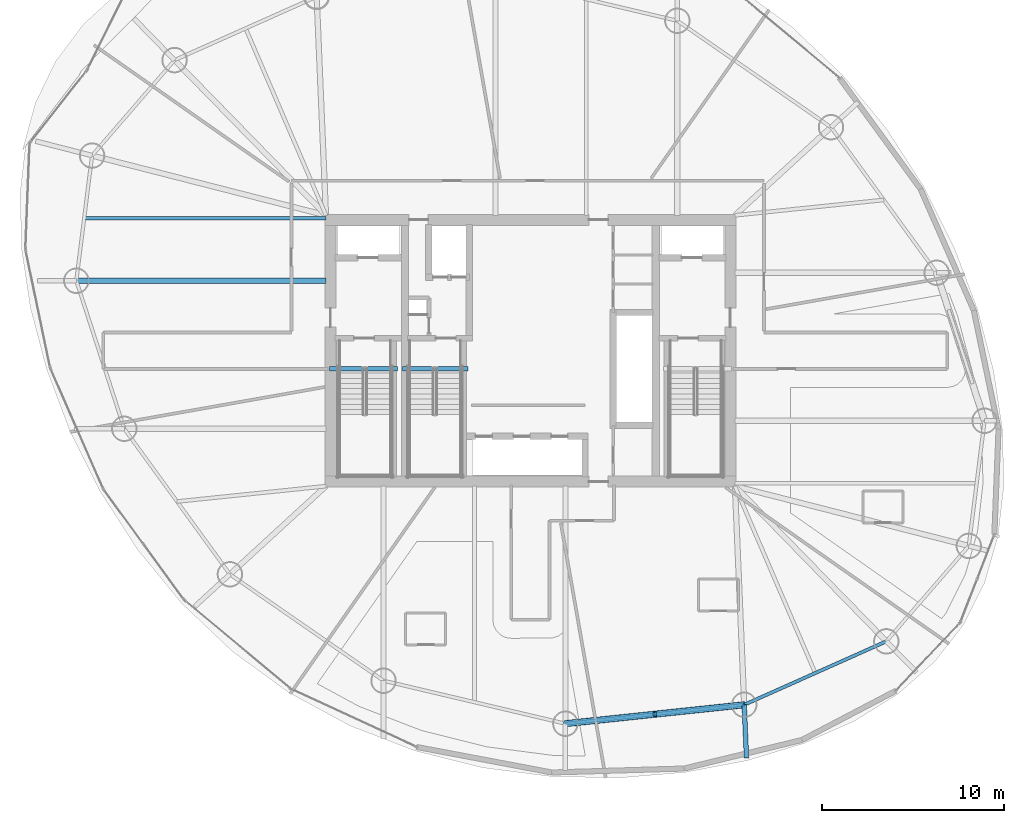
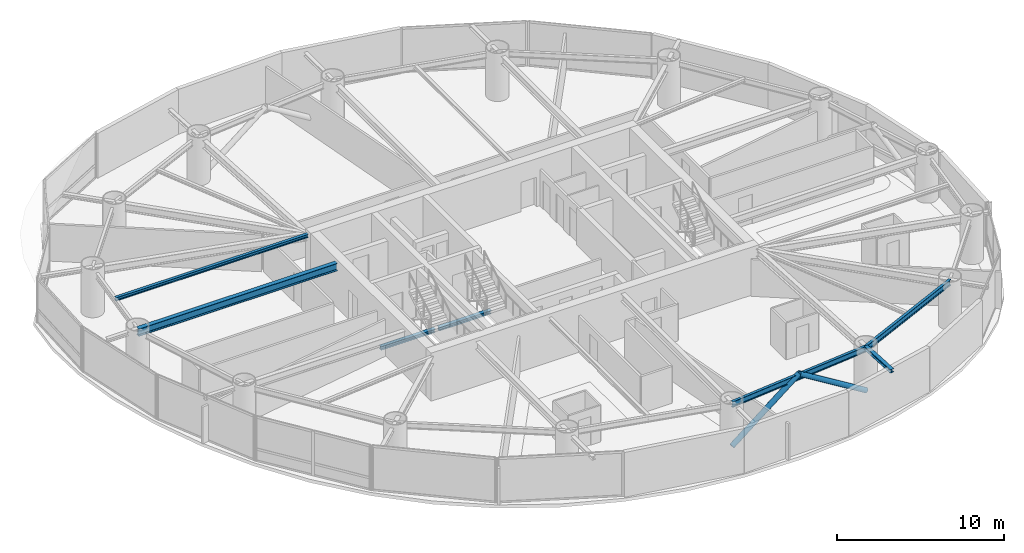
# One storey, part 8 of 23: 7 beams, 2 members.
"""IFC4 building model written with IfcOpenShell, lengths in metres."""

from ifc_helpers import new_model, si_unit, direction, frame, origin, origin_2d, place, context, subcontext, project, spatial, hollow_circle, i_section, extrude, material, material_profile, profile_set, type_object, element, save


model = new_model("IFC4")

# Units and contexts
model_context = context("Model", 3, precision=1e-05, world=origin(), true_north=direction((0.0, 1.0)))
body_context = subcontext(model_context, "Body", "Model", "MODEL_VIEW")
ifc_project = project(units=[si_unit("LENGTHUNIT", "METRE"), si_unit("AREAUNIT", "SQUARE_METRE"), si_unit("VOLUMEUNIT", "CUBIC_METRE"), si_unit("PLANEANGLEUNIT", "RADIAN"), si_unit("MASSUNIT", "GRAM", prefix="KILO")], contexts=[model_context])

# Site, building, storey
site_placement = place(None, origin())
site = spatial("IfcSite", under=ifc_project, at=site_placement, CompositionType="ELEMENT")
building_placement = place(site_placement, origin())
building = spatial("IfcBuilding", under=site, at=building_placement, Name="Bramvorn Convention Spire", CompositionType="ELEMENT")
storey_placement = place(building_placement, frame((0.0, 0.0, 158.800048828125)))
storey = spatial("IfcBuildingStorey", under=building, at=storey_placement, Name="L40", CompositionType="ELEMENT", Elevation=158.800048828125)

# Beams
ifc_material = material(Name="Steel CSA G40.21 Grade 350 (350W)", Category="steel")
ifc_material_profile_1 = material_profile(ifc_material, i_section(OverallWidth=0.201904296875, OverallDepth=0.2470703125, WebThickness=0.00732421875, FlangeThickness=0.010986328125, FilletRadius=0.011962890625, at=origin_2d()))
ifc_profile_set_1 = profile_set([ifc_material_profile_1], Name="Steel CSA G40.21 Grade 350 (350W) - W250X49")
beam_type_1 = type_object("IfcBeamType", Name="BM-W250X49", PredefinedType="JOIST", material=ifc_profile_set_1)
beam_1_placement = place(storey_placement, frame((26.75, 33.294921875, 3.136474609375), z_axis=(-1.0, 0.0, 0.0), x_axis=(0.0, -1.0, 0.0)))
element("IfcBeam", 1, at=beam_1_placement, inside=storey, type_object=beam_type_1, Name="L40 composite floor joist 09", PredefinedType="JOIST", context=body_context, shape_type="SweptSolid", body=[
    extrude(i_section(OverallWidth=0.201904296875, OverallDepth=0.2470703125, WebThickness=0.00732421875, FlangeThickness=0.010986328125, FilletRadius=0.011962890625, at=origin_2d()), origin(), (0.0, 0.0, 1.0), 13.30078125),
])
ifc_material_profile_2 = material_profile(ifc_material, i_section(OverallWidth=0.25390625, OverallDepth=0.2529296875, WebThickness=0.008544921875, FlangeThickness=0.01416015625, FilletRadius=0.011962890625, at=origin_2d()))
ifc_profile_set_2 = profile_set([ifc_material_profile_2], Name="Steel CSA G40.21 Grade 350 (350W) - W250X73")
beam_type_2 = type_object("IfcBeamType", Name="BM-W250X73", PredefinedType="BEAM", material=ifc_profile_set_2)
beam_2_placement = place(storey_placement, frame((49.76171875, 6.521240234375, 3.133544921875), z_axis=(0.042532428571, -0.999095086826, 0.0), x_axis=(0.999095086826, 0.042532428571, 0.0)))
element("IfcBeam", 2, at=beam_2_placement, inside=storey, type_object=beam_type_2, Name="L40 slab-edge cantilever tip beam MC15", PredefinedType="BEAM", context=body_context, shape_type="SweptSolid", body=[
    extrude(i_section(OverallWidth=0.25390625, OverallDepth=0.2529296875, WebThickness=0.008544921875, FlangeThickness=0.01416015625, FilletRadius=0.011962890625, at=origin_2d()), origin(), (0.0, 0.0, 1.0), 2.927490234375),
])
beam_3_placement = place(storey_placement, frame((26.949951171875, 25.010009765625, -0.12646484375), z_axis=(1.0, 0.0, 0.0), x_axis=(0.0, 1.0, 0.0)))
element("IfcBeam", 3, at=beam_3_placement, inside=storey, type_object=beam_type_2, Name="L40 ST1 stair arrival header beam", PredefinedType="BEAM", context=body_context, shape_type="SweptSolid", body=[
    extrude(i_section(OverallWidth=0.25390625, OverallDepth=0.2529296875, WebThickness=0.008544921875, FlangeThickness=0.01416015625, FilletRadius=0.011962890625, at=origin_2d()), origin(), (0.0, 0.0, 1.0), 3.739990234375),
])
beam_4_placement = place(storey_placement, frame((30.949951171875, 25.010009765625, -0.12646484375), z_axis=(1.0, 0.0, 0.0), x_axis=(0.0, 1.0, 0.0)))
element("IfcBeam", 4, at=beam_4_placement, inside=storey, type_object=beam_type_2, Name="L40 ST3 stair arrival header beam", PredefinedType="BEAM", context=body_context, shape_type="SweptSolid", body=[
    extrude(i_section(OverallWidth=0.25390625, OverallDepth=0.2529296875, WebThickness=0.008544921875, FlangeThickness=0.01416015625, FilletRadius=0.011962890625, at=origin_2d()), origin(), (0.0, 0.0, 1.0), 3.610107421875),
])
ifc_material_profile_3 = material_profile(ifc_material, i_section(OverallWidth=0.180908203125, OverallDepth=0.4169921875, WebThickness=0.010986328125, FlangeThickness=0.018310546875, FilletRadius=0.01611328125, at=origin_2d()))
ifc_profile_set_3 = profile_set([ifc_material_profile_3], Name="Steel CSA G40.21 Grade 350 (350W) - W410X85")
beam_type_3 = type_object("IfcBeamType", Name="BM-W410X85", PredefinedType="JOIST", material=ifc_profile_set_3)
beam_5_placement = place(storey_placement, frame((39.924072265625, 5.482666015625, 3.051513671875), z_axis=(0.994473491975, 0.104987969596, 0.0), x_axis=(-0.104987969596, 0.994473491975, 0.0)))
element("IfcBeam", 5, at=beam_5_placement, inside=storey, type_object=beam_type_3, Name="L40 mega-column ring beam 14", PredefinedType="JOIST", context=body_context, shape_type="SweptSolid", body=[
    extrude(i_section(OverallWidth=0.180908203125, OverallDepth=0.4169921875, WebThickness=0.010986328125, FlangeThickness=0.018310546875, FilletRadius=0.01611328125, at=origin_2d()), origin(), (0.0, 0.0, 1.0), 9.892333984375),
])
beam_6_placement = place(storey_placement, frame((49.76171875, 6.521240234375, 3.051513671875), z_axis=(0.913169534701, 0.407579931908, 0.0), x_axis=(-0.407579931908, 0.913169534701, 0.0)))
element("IfcBeam", 6, at=beam_6_placement, inside=storey, type_object=beam_type_3, Name="L40 mega-column ring beam 15", PredefinedType="JOIST", context=body_context, shape_type="SweptSolid", body=[
    extrude(i_section(OverallWidth=0.180908203125, OverallDepth=0.4169921875, WebThickness=0.010986328125, FlangeThickness=0.018310546875, FilletRadius=0.01611328125, at=origin_2d()), origin(), (0.0, 0.0, 1.0), 8.5615234375),
])
ifc_material_profile_4 = material_profile(ifc_material, i_section(OverallWidth=0.2919921875, OverallDepth=0.551025390625, WebThickness=0.01513671875, FlangeThickness=0.0244140625, FilletRadius=0.01904296875, at=origin_2d()))
ifc_profile_set_4 = profile_set([ifc_material_profile_4], Name="Steel CSA G40.21 Grade 350 (350W) - W530X182")
beam_type_4 = type_object("IfcBeamType", Name="BM-W530X182", PredefinedType="BEAM", material=ifc_profile_set_4)
beam_7_placement = place(storey_placement, frame((26.75, 29.851806640625, 2.984375), z_axis=(-1.0, 0.0, 0.0), x_axis=(0.0, -1.0, 0.0)))
element("IfcBeam", 7, at=beam_7_placement, inside=storey, type_object=beam_type_4, Name="L40 radial floor girder MC10", PredefinedType="BEAM", context=body_context, shape_type="SweptSolid", body=[
    extrude(i_section(OverallWidth=0.2919921875, OverallDepth=0.551025390625, WebThickness=0.01513671875, FlangeThickness=0.0244140625, FilletRadius=0.01904296875, at=origin_2d()), origin(), (0.0, 0.0, 1.0), 13.733642578125),
])

# Members
ifc_material_profile_5 = material_profile(ifc_material, hollow_circle(Radius=0.177734375, WallThickness=0.015869140625, at=origin_2d()))
ifc_profile_set_5 = profile_set([ifc_material_profile_5], Name="Steel CSA G40.21 Grade 350 (350W) - CHS356X16")
member_type = type_object("IfcMemberType", Name="MBR-CHS356X16", PredefinedType="BRACE", material=ifc_profile_set_5)
member_1_placement = place(storey_placement, frame((39.924072265625, 5.482666015625, 0.0), z_axis=(0.830346972509, 0.087658725954, 0.550308870553), x_axis=(-0.104985392894, 0.994473763997, 0.0)))
element("IfcMember", 8, at=member_1_placement, inside=storey, type_object=member_type, Name="L40 perimeter Gothic lancet brace 14A", PredefinedType="BRACE", context=body_context, shape_type="SweptSolid", body=[
    extrude(hollow_circle(Radius=0.177734375, WallThickness=0.015869140625, at=origin_2d()), origin(), (0.0, 0.0, 1.0), 5.924072265625),
])
member_2_placement = place(storey_placement, frame((49.76171875, 6.521240234375, 0.0), z_axis=(-0.830334174424, -0.087661725766, 0.550327702937), x_axis=(0.104990546424, -0.994473219932, 0.0)))
element("IfcMember", 9, at=member_2_placement, inside=storey, type_object=member_type, Name="L40 perimeter Gothic lancet brace 14B", PredefinedType="BRACE", context=body_context, shape_type="SweptSolid", body=[
    extrude(hollow_circle(Radius=0.177734375, WallThickness=0.015869140625, at=origin_2d()), origin(), (0.0, 0.0, 1.0), 5.923828125),
])

save(model, "model.ifc")
